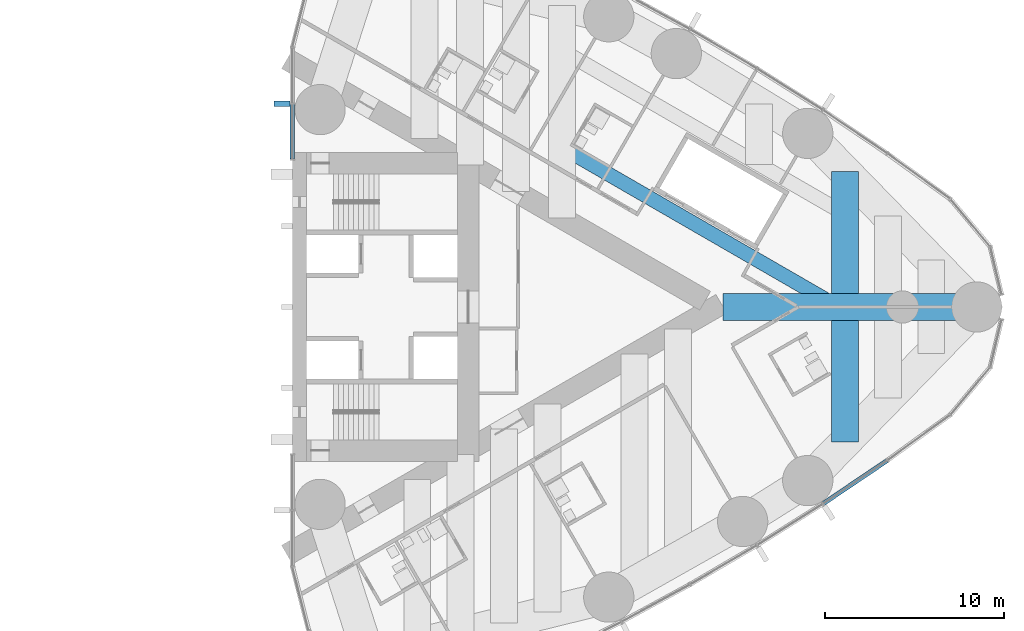
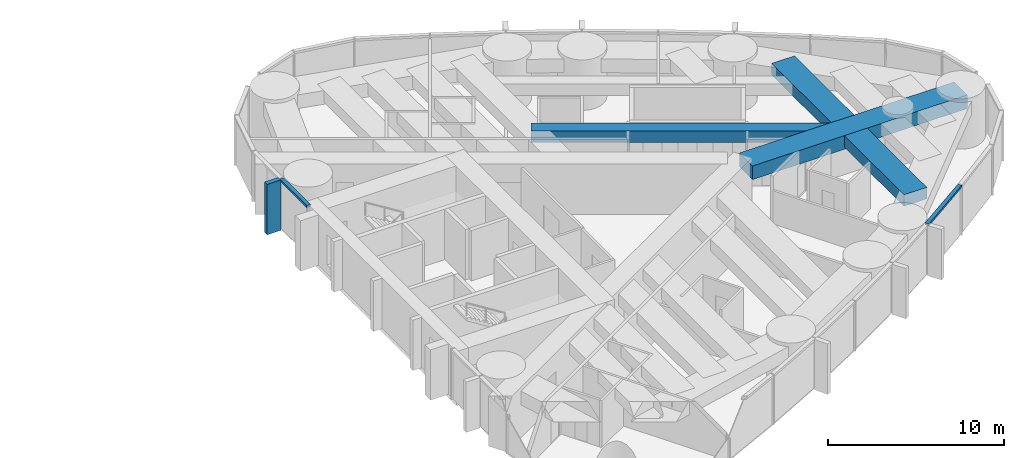
# One storey, part 7 of 18: 4 beams, 3 members, 2 elements without a shape of their own.
"""IFC4 building model written with IfcOpenShell, lengths in metres."""

import ifcopenshell
import ifcopenshell.guid

model = None  # the IFC model being written
_history = None  # IfcOwnerHistory: only IFC2X3 demands one
_inside = {}  # id of a spatial element -> (the spatial element, [elements in it])
_under = {}  # id of a project, library or spatial element -> (it, [spatial elements below it])
_declared = {}  # id of a project -> (the project, [libraries it declares])
_typed = {}  # id of a type object -> (the type object, [elements of that type])
_made_of = {}  # id of a material, layer set ... -> (it, [elements and type objects made of it])


def new_model(schema):
    """Start an empty IFC model of exactly this schema.

    Asked for "IFC4X3", IfcOpenShell would pick the latest addendum, in which some entities
    have other attributes; the version numbers below select the first issue.
    IFC2X3 requires an IfcOwnerHistory on every rooted entity: one is made here for all.
    """
    global model, _history
    if schema == "IFC4X3":
        model = ifcopenshell.file(schema_version=(4, 3, 0, 0))
    else:
        model = ifcopenshell.file(schema=schema)
    _inside.clear()
    _under.clear()
    _declared.clear()
    _typed.clear()
    _made_of.clear()
    _history = None
    if model.schema == "IFC2X3":
        org = make("IfcOrganization", Name="unknown")
        user = make(
            "IfcPersonAndOrganization",
            ThePerson=make("IfcPerson", FamilyName="unknown"),
            TheOrganization=org,
        )
        app = make(
            "IfcApplication",
            ApplicationDeveloper=org,
            Version="unknown",
            ApplicationFullName="unknown",
            ApplicationIdentifier="unknown",
        )
        _history = make(
            "IfcOwnerHistory",
            OwningUser=user,
            OwningApplication=app,
            ChangeAction="ADDED",
            CreationDate=0,
        )
    return model


def make(cls, **values):
    """One entity of the class cls with the attributes given. An attribute that is None is left unset."""
    return model.create_entity(
        cls, **{name: value for name, value in values.items() if value is not None}
    )


def rooted(cls, **values):
    """An entity with a GlobalId (a new one), such as an element, a storey or a relation."""
    return make(cls, GlobalId=ifcopenshell.guid.new(), OwnerHistory=_history, **values)


def si_unit(unit_type, name, prefix=None):
    """IfcSIUnit, for example si_unit("LENGTHUNIT", "METRE", prefix="MILLI")."""
    return make("IfcSIUnit", UnitType=unit_type, Prefix=prefix, Name=name)


def assignment(units):
    """IfcUnitAssignment: the units of a project."""
    return None if units is None else make("IfcUnitAssignment", Units=units)


def point(xyz):
    """IfcCartesianPoint."""
    return None if xyz is None else make("IfcCartesianPoint", Coordinates=xyz)


def direction(xyz):
    """IfcDirection."""
    return None if xyz is None else make("IfcDirection", DirectionRatios=xyz)


def frame(location, z_axis=None, x_axis=None):
    """IfcAxis2Placement3D, a coordinate frame: its origin and axes. An axis left out is left unset."""
    return make(
        "IfcAxis2Placement3D",
        Location=point(location),
        Axis=direction(z_axis),
        RefDirection=direction(x_axis),
    )


def frame_2d(location, x_axis=None):
    """IfcAxis2Placement2D, a coordinate frame in the plane: its origin and x axis."""
    return make(
        "IfcAxis2Placement2D", Location=point(location), RefDirection=direction(x_axis)
    )


def origin():
    """The frame at (0, 0, 0) with its axes left unset."""
    return frame((0.0, 0.0, 0.0))


def origin_2d():
    """The frame at (0, 0) in the plane with its x axis left unset."""
    return frame_2d((0.0, 0.0))


def place(relative_to, where):
    """IfcLocalPlacement: puts the frame where relative to a parent placement (None: the world)."""
    return make(
        "IfcLocalPlacement", PlacementRelTo=relative_to, RelativePlacement=where
    )


def context(
    kind, dimensions, precision=None, world=None, true_north=None, identifier=None
):
    """IfcGeometricRepresentationContext, for example the 3D "Model" context."""
    return make(
        "IfcGeometricRepresentationContext",
        ContextIdentifier=identifier,
        ContextType=kind,
        CoordinateSpaceDimension=dimensions,
        Precision=precision,
        WorldCoordinateSystem=world,
        TrueNorth=true_north,
    )


def subcontext(parent, identifier, kind, view, scale=None):
    """IfcGeometricRepresentationSubContext, for example "Body" below "Model"."""
    return make(
        "IfcGeometricRepresentationSubContext",
        ContextIdentifier=identifier,
        ContextType=kind,
        ParentContext=parent,
        TargetScale=scale,
        TargetView=view,
    )


def project(units=None, contexts=None):
    """IfcProject with its units and contexts."""
    return rooted(
        "IfcProject",
        Name="project",
        RepresentationContexts=contexts,
        UnitsInContext=assignment(units),
    )


def spatial(cls, under=None, at=None, **own):
    """A site, building, storey or space (cls), placed at a placement, below another one or the project."""
    s = rooted(cls, ObjectPlacement=at, **own)
    if under is not None:
        _under.setdefault(under.id(), (under, []))[1].append(s)
    return s


def profile(cls, at=None, kind="AREA", **sizes):
    """A parametric profile (cls). Its sizes go by their IFC names, for example OverallWidth=200.0."""
    return make(cls, ProfileType=kind, Position=at, **sizes)


def rectangle(**sizes):
    """IfcRectangleProfileDef."""
    return profile("IfcRectangleProfileDef", **sizes)


def hollow_rectangle(**sizes):
    """IfcRectangleHollowProfileDef."""
    return profile("IfcRectangleHollowProfileDef", **sizes)


def extrude(swept, where, along, depth):
    """IfcExtrudedAreaSolid: the profile swept, set in the frame where, extruded along a direction by depth."""
    return make(
        "IfcExtrudedAreaSolid",
        SweptArea=swept,
        Position=where,
        ExtrudedDirection=direction(along),
        Depth=depth,
    )


def shape(context_of_items, identifier, shape_type, items):
    """IfcShapeRepresentation: the items that make up one representation, for example the "Body"."""
    return make(
        "IfcShapeRepresentation",
        ContextOfItems=context_of_items,
        RepresentationIdentifier=identifier,
        RepresentationType=shape_type,
        Items=items,
    )


def material(Name=None, Category=None):
    """IfcMaterial."""
    return make("IfcMaterial", Name=Name, Category=Category)


def material_profile(
    of_material, cross_section, Name=None, Category=None, Priority=None
):
    """IfcMaterialProfile: a cross section and its material."""
    return make(
        "IfcMaterialProfile",
        Name=Name,
        Material=of_material,
        Profile=cross_section,
        Priority=Priority,
        Category=Category,
    )


def profile_set(profiles, Name=None, composite=None):
    """IfcMaterialProfileSet."""
    return make(
        "IfcMaterialProfileSet",
        Name=Name,
        MaterialProfiles=profiles,
        CompositeProfile=composite,
    )


def made_of(thing, what):
    """Note that an element or type object is made of a material, layer set ...; save() writes the relation."""
    if what is not None:
        _made_of.setdefault(what.id(), (what, []))[1].append(thing)
    return thing


def type_object(cls, material=None, **own):
    """A type object (cls), such as IfcWallType, which elements share."""
    return made_of(rooted(cls, **own), material)


def element(
    cls,
    number,
    at=None,
    inside=None,
    cuts=None,
    type_object=None,
    material=None,
    context=None,
    identifier="Body",
    shape_type=None,
    held_by="IfcProductDefinitionShape",
    body=None,
    shapes=None,
    **own,
):
    """One element of the class cls, such as IfcWall. Its Tag is "e" and its number.

    at: its placement. inside: the storey or other place that contains it. cuts: it is an
    opening in that element (IfcRelVoidsElement). A single representation is given by context,
    identifier, shape_type and body (its items); several are given by shapes. held_by: the class
    of the entity that holds the representations. save() writes the other relations.
    """
    e = rooted(cls, Tag="e%d" % number, ObjectPlacement=at, **own)
    if body is not None:
        shapes = [shape(context, identifier, shape_type, body)]
    if shapes is not None:
        e.Representation = make(held_by, Representations=shapes)
    if inside is not None:
        _inside.setdefault(inside.id(), (inside, []))[1].append(e)
    if cuts is not None:
        rooted(
            "IfcRelVoidsElement", RelatingBuildingElement=cuts, RelatedOpeningElement=e
        )
    if type_object is not None:
        _typed.setdefault(type_object.id(), (type_object, []))[1].append(e)
    return made_of(e, material)


def aggregate(whole, parts):
    """IfcRelAggregates: a whole, such as a stair, and the parts it consists of."""
    return rooted("IfcRelAggregates", RelatingObject=whole, RelatedObjects=parts)


def save(model, path):
    """Write the relations noted so far, then the file.

    IfcRelAggregates (storeys below a building ...), IfcRelContainedInSpatialStructure (elements
    in a storey), IfcRelDefinesByType, IfcRelAssociatesMaterial and IfcRelDeclares: one each for
    every whole, place, type object, material and project.
    """
    for whole, parts in _under.values():
        aggregate(whole, parts)
    for where, things in _inside.values():
        rooted(
            "IfcRelContainedInSpatialStructure",
            RelatedElements=things,
            RelatingStructure=where,
        )
    for kind, things in _typed.values():
        rooted("IfcRelDefinesByType", RelatedObjects=things, RelatingType=kind)
    for what, things in _made_of.values():
        rooted("IfcRelAssociatesMaterial", RelatedObjects=things, RelatingMaterial=what)
    for by, libraries in _declared.values():
        rooted("IfcRelDeclares", RelatingContext=by, RelatedDefinitions=libraries)
    model.write(path)


model = new_model("IFC4")

# Units and contexts
model_context = context("Model", 3, precision=1e-05, world=origin(), true_north=direction((0.0, 1.0)))
body_context = subcontext(model_context, "Body", "Model", "MODEL_VIEW")
ifc_project = project(units=[si_unit("LENGTHUNIT", "METRE"), si_unit("AREAUNIT", "SQUARE_METRE"), si_unit("VOLUMEUNIT", "CUBIC_METRE"), si_unit("PLANEANGLEUNIT", "RADIAN"), si_unit("MASSUNIT", "GRAM", prefix="KILO")], contexts=[model_context])

# Site, building, storey
site_placement = place(None, origin())
site = spatial("IfcSite", under=ifc_project, at=site_placement, CompositionType="ELEMENT")
building_placement = place(site_placement, origin())
building = spatial("IfcBuilding", under=site, at=building_placement, Name="Lancet Gate Hotel", CompositionType="ELEMENT")
storey_placement = place(building_placement, frame((0.0, 0.0, 180.800048828125)))
storey = spatial("IfcBuildingStorey", under=building, at=storey_placement, Name="L48", CompositionType="ELEMENT", Elevation=180.800048828125)

# Curtain wall, member
ifc_material_1 = material(Name="Aluminium curtain wall", Category="aluminium")
curtain_wall_type = type_object("IfcCurtainWallType", Name="Tower unitised curtain wall", PredefinedType="USERDEFINED", material=ifc_material_1)
curtain_wall_1_placement = place(storey_placement, origin())
curtain_wall_1 = element("IfcCurtainWall", 1, at=curtain_wall_1_placement, inside=storey, type_object=curtain_wall_type, Name="T2 L48 curtain wall 2", ObjectType="UNITISED CURTAIN WALL", PredefinedType="USERDEFINED")
ifc_material_2 = material(Name="Aluminium transom", Category="aluminium")
ifc_material_profile_1 = material_profile(ifc_material_2, rectangle(XDim=0.25, YDim=0.14990234375, at=origin_2d()), Name="TRANSOM 250x150")
ifc_profile_set_1 = profile_set([ifc_material_profile_1], Name="Aluminium transom")
member_type_1 = type_object("IfcMemberType", Name="Aluminium transom 250x150", PredefinedType="USERDEFINED", material=ifc_profile_set_1)
member_1_placement = place(storey_placement, frame((57.093994140625, -10.952880859375, 3.425048828125), z_axis=(0.829046850689, 0.559179147826, 0.0), x_axis=(-0.559179147826, 0.829046850689, 0.0)))
member_1 = element("IfcMember", 2, at=member_1_placement, type_object=member_type_1, Name="T2 L48 curtain wall 2 transom 8", ObjectType="TRANSOM", PredefinedType="USERDEFINED", context=body_context, shape_type="SweptSolid", body=[
    extrude(rectangle(XDim=0.25, YDim=0.14990234375, at=origin_2d()), origin(), (0.0, 0.0, 1.0), 4.26904296875),
])
aggregate(curtain_wall_1, [member_1])

# Curtain wall, members
curtain_wall_2_placement = place(storey_placement, origin())
curtain_wall_2 = element("IfcCurtainWall", 3, at=curtain_wall_2_placement, inside=storey, type_object=curtain_wall_type, Name="T2 L48 curtain wall 4", ObjectType="UNITISED CURTAIN WALL", PredefinedType="USERDEFINED")
member_2_placement = place(storey_placement, frame((27.5, 11.30029296875, 3.425048828125), z_axis=(0.0, -1.0, 0.0), x_axis=(1.0, 0.0, 0.0)))
member_2 = element("IfcMember", 4, at=member_2_placement, type_object=member_type_1, Name="T2 L48 curtain wall 4 transom 4", ObjectType="TRANSOM", PredefinedType="USERDEFINED", context=body_context, shape_type="SweptSolid", body=[
    extrude(rectangle(XDim=0.25, YDim=0.14990234375, at=origin_2d()), origin(), (0.0, 0.0, 1.0), 3.06787109375),
])
ifc_material_3 = material(Name="Precast concrete C50/60", Category="concrete")
ifc_material_profile_2 = material_profile(ifc_material_3, rectangle(XDim=0.300048828125, YDim=0.89990234375, at=origin_2d()), Name="FIN 300x900")
ifc_profile_set_2 = profile_set([ifc_material_profile_2], Name="Precast concrete C50/60")
member_type_2 = type_object("IfcMemberType", Name="Exposed concrete fin 300x900", PredefinedType="USERDEFINED", material=ifc_profile_set_2)
member_3_placement = place(storey_placement, frame((26.925048828125, 11.332763671875, 0.0), z_axis=(0.0, 0.0, 1.0), x_axis=(0.0, -1.0, 0.0)))
member_3 = element("IfcMember", 5, at=member_3_placement, type_object=member_type_2, Name="T2 L48 curtain wall 4 fin 4", ObjectType="FIN", PredefinedType="USERDEFINED", context=body_context, shape_type="SweptSolid", body=[
    extrude(rectangle(XDim=0.300048828125, YDim=0.89990234375, at=origin_2d()), origin(), (0.0, 0.0, 1.0), 3.5),
])
aggregate(curtain_wall_2, [member_3, member_2])

# Beams
ifc_material_4 = material(Name="Concrete C50/60", Category="concrete")
ifc_material_profile_3 = material_profile(ifc_material_4, rectangle(XDim=1.5, YDim=0.800048828125, at=origin_2d()), Name="RC 1500x800")
ifc_profile_set_3 = profile_set([ifc_material_profile_3], Name="Concrete C50/60")
beam_type_1 = type_object("IfcBeamType", Name="Floor beam RC 1500x800", PredefinedType="BEAM", material=ifc_profile_set_3)
for number, where, z_axis, x_axis, name in (
    (6, (58.30224609375, -7.534912109375, 2.849853515625), (0.0, 1.0, 0.0), (-1.0, 0.0, 0.0), "T2 floor beam F12S L48"),
    (7, (58.30224609375, 0.75, 2.849853515625), (0.0, 1.0, 0.0), (-1.0, 0.0, 0.0), "T2 floor beam F13N L48"),
):
    element("IfcBeam", number, at=place(storey_placement, frame(where, z_axis=z_axis, x_axis=x_axis)), inside=storey, type_object=beam_type_1, Name=name, PredefinedType="BEAM", context=body_context, shape_type="SweptSolid", body=[
        extrude(rectangle(XDim=1.5, YDim=0.800048828125, at=origin_2d()), origin(), (0.0, 0.0, 1.0), 6.784912109375),
    ])
ifc_material_5 = material(Name="Concrete C50/60", Category="concrete")
ifc_material_profile_4 = material_profile(ifc_material_5, rectangle(XDim=1.5, YDim=0.949951171875, at=origin_2d()), Name="RC 1500x950")
ifc_profile_set_4 = profile_set([ifc_material_profile_4], Name="Concrete C50/60")
beam_type_2 = type_object("IfcBeamType", Name="Radial floor beam RC 1500x950", PredefinedType="BEAM", material=ifc_profile_set_4)
beam_1_placement = place(storey_placement, frame((65.6396484375, 0.0, 2.77490234375), z_axis=(-1.0, 0.0, 0.0), x_axis=(0.0, -1.0, 0.0)))
element("IfcBeam", 8, at=beam_1_placement, inside=storey, type_object=beam_type_2, Name="T2 radial beam CA L48", PredefinedType="BEAM", context=body_context, shape_type="SweptSolid", body=[
    extrude(rectangle(XDim=1.5, YDim=0.949951171875, at=origin_2d()), origin(), (0.0, 0.0, 1.0), 14.137451171875),
])
ifc_material_6 = material(Name="Steel S460QL", Category="steel")
ifc_material_profile_5 = material_profile(ifc_material_6, hollow_rectangle(XDim=0.800048828125, YDim=0.800048828125, WallThickness=0.080078125, at=origin_2d()), Name="BOX 800x800x80")
ifc_profile_set_5 = profile_set([ifc_material_profile_5], Name="Steel S460QL")
beam_type_3 = type_object("IfcBeamType", Name="Trimmer beam BOX 800x800x80", PredefinedType="BEAM", material=ifc_profile_set_5)
beam_2_placement = place(storey_placement, frame((42.51904296875, 8.90185546875, 2.849853515625), z_axis=(0.865994419471, -0.500053662566, 0.0), x_axis=(0.500053662566, 0.865994419471, 0.0)))
element("IfcBeam", 9, at=beam_2_placement, inside=storey, type_object=beam_type_3, Name="T2 trimmer beam TR02N L48", PredefinedType="BEAM", context=body_context, shape_type="SweptSolid", body=[
    extrude(hollow_rectangle(XDim=0.800048828125, YDim=0.800048828125, WallThickness=0.080078125, at=origin_2d()), origin(), (0.0, 0.0, 1.0), 17.8017578125),
])

save(model, "model.ifc")
